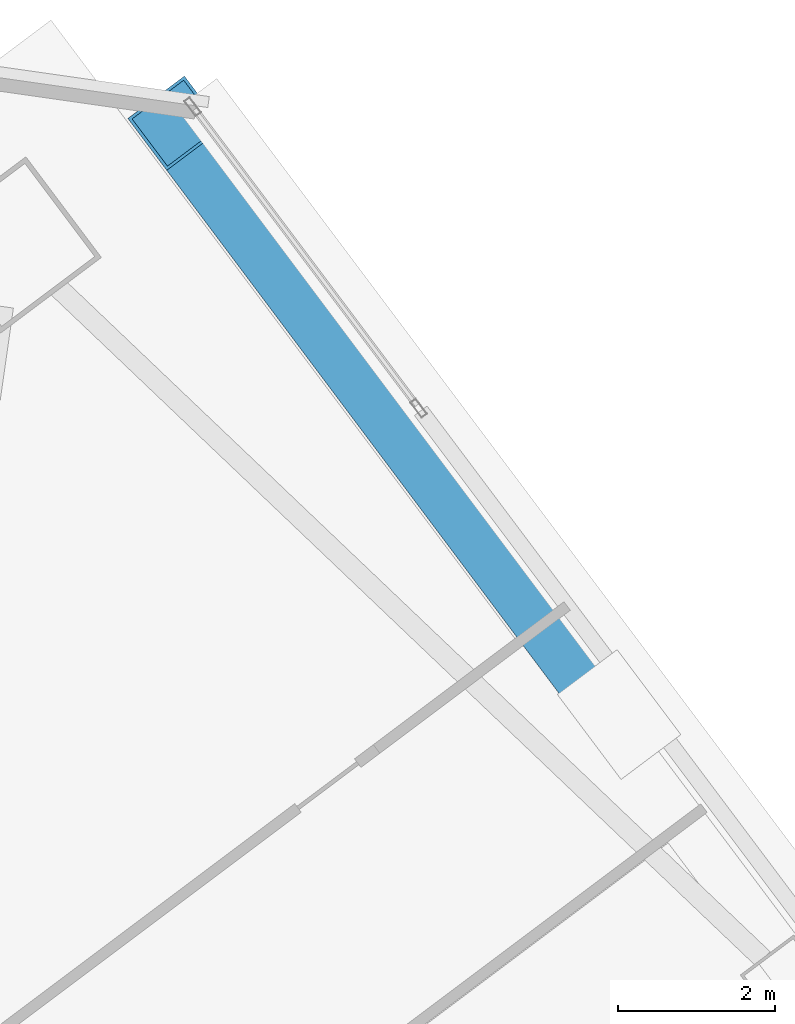
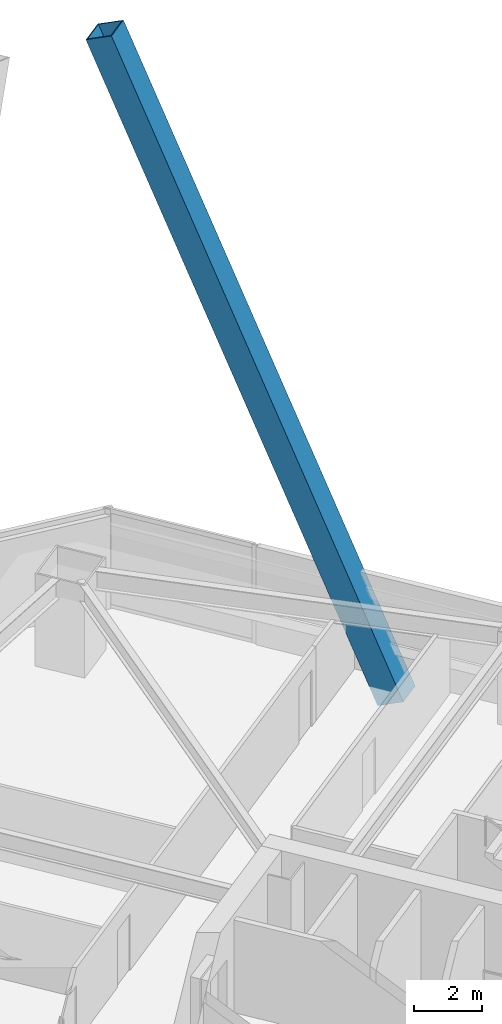
# One storey, part 58 of 75: 1 member.
"""IFC4 building model written with IfcOpenShell, lengths in metres."""

from ifc_helpers import new_model, si_unit, direction, frame, origin, origin_2d, place, context, subcontext, project, spatial, hollow_rectangle, extrude, material, material_profile, profile_set, type_object, element, save


model = new_model("IFC4")

# Units and contexts
model_context = context("Model", 3, precision=1e-05, world=origin(), true_north=direction((0.0, 1.0)))
body_context = subcontext(model_context, "Body", "Model", "MODEL_VIEW")
ifc_project = project(units=[si_unit("LENGTHUNIT", "METRE"), si_unit("AREAUNIT", "SQUARE_METRE"), si_unit("VOLUMEUNIT", "CUBIC_METRE"), si_unit("PLANEANGLEUNIT", "RADIAN"), si_unit("MASSUNIT", "GRAM", prefix="KILO")], contexts=[model_context])

# Site, building, storey
site_placement = place(None, origin())
site = spatial("IfcSite", under=ifc_project, at=site_placement, CompositionType="ELEMENT")
building_placement = place(site_placement, origin())
building = spatial("IfcBuilding", under=site, at=building_placement, Name="Tashvorn Skyway Center", CompositionType="ELEMENT")
storey_placement = place(building_placement, frame((0.0, 0.0, 45.89990234375)))
storey = spatial("IfcBuildingStorey", under=building, at=storey_placement, Name="L11", CompositionType="ELEMENT", Elevation=45.89990234375)

# Member
ifc_material = material(Name="Steel ASTM A572 Grade 50", Category="steel")
ifc_material_profile = material_profile(ifc_material, hollow_rectangle(XDim=0.89990234375, YDim=0.89990234375, WallThickness=0.0400390625, at=origin_2d()), Name="BOX900x900x40")
ifc_profile_set = profile_set([ifc_material_profile], Name="Steel ASTM A572 Grade 50")
member_type = type_object("IfcMemberType", Name="MEM-MB-900", PredefinedType="BRACE", material=ifc_profile_set)
member_placement = place(storey_placement, frame((125.464111328125, 52.347900390625, -0.449951171875), z_axis=(-0.240362581762, 0.320476506079, 0.916253588446), x_axis=(-0.799993766644, -0.600008311051, 0.0)))
element("IfcMember", 1, at=member_placement, inside=storey, type_object=member_type, Name="Tower 2 Zone 1 E Chevron Mega-Brace R2", PredefinedType="BRACE", context=body_context, shape_type="SweptSolid", body=[
    extrude(hollow_rectangle(XDim=0.89990234375, YDim=0.89990234375, WallThickness=0.0400390625, at=origin_2d()), origin(), (0.0, 0.0, 1.0), 23.465087890625),
])

save(model, "model.ifc")
